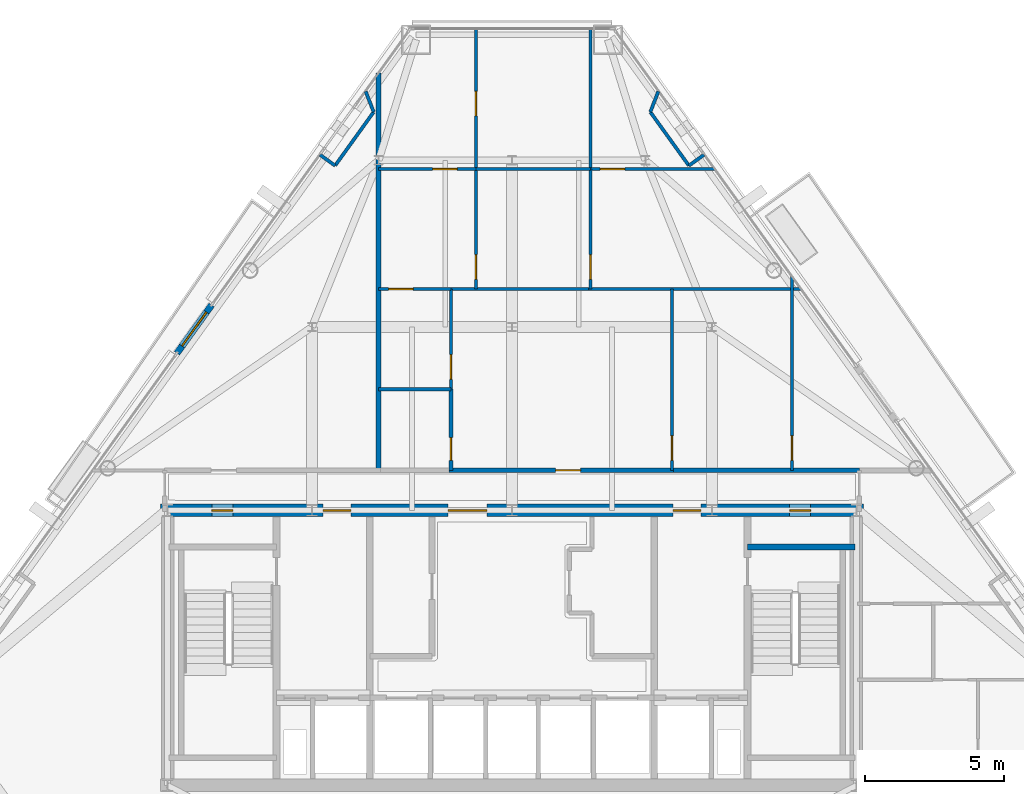
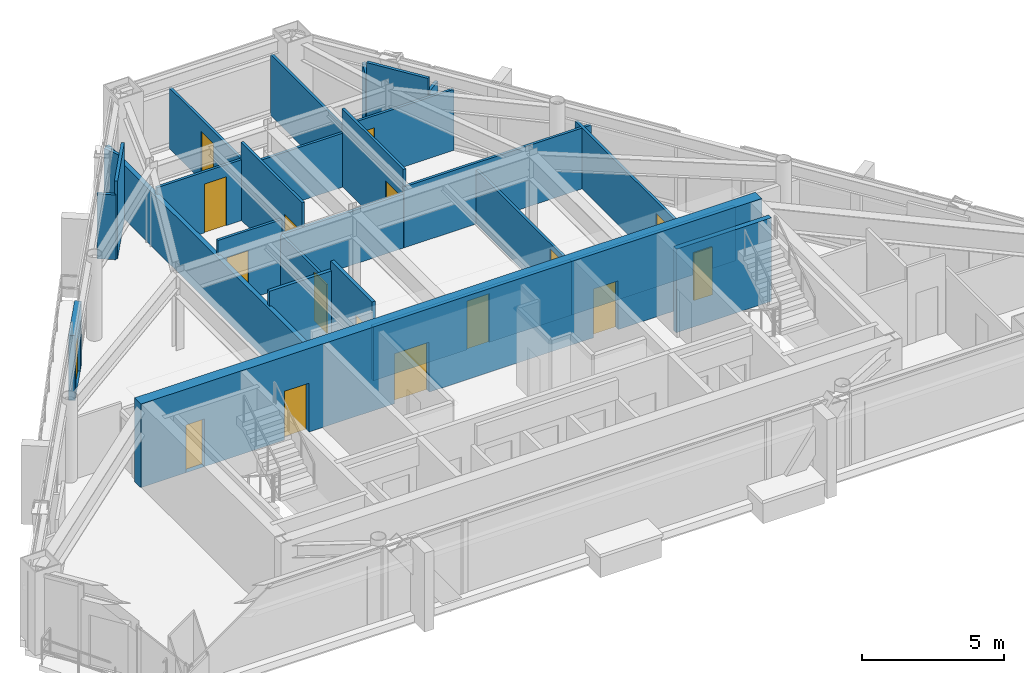
# One storey, part 8 of 11: 27 walls, 17 doors, 17 openings.
"""IFC4 building model written with IfcOpenShell, lengths in metres."""

from ifc_helpers import new_model, si_unit, direction, frame, frame_2d, origin, place, context, subcontext, project, spatial, rectangle, extrude, material, layer, layer_set, type_object, element, fill, save


model = new_model("IFC4")

# Units and contexts
model_context = context("Model", 3, precision=1e-05, world=origin(), true_north=direction((0.0, 1.0)))
body_context = subcontext(model_context, "Body", "Model", "MODEL_VIEW")
ifc_project = project(units=[si_unit("LENGTHUNIT", "METRE"), si_unit("AREAUNIT", "SQUARE_METRE"), si_unit("VOLUMEUNIT", "CUBIC_METRE"), si_unit("PLANEANGLEUNIT", "RADIAN"), si_unit("MASSUNIT", "GRAM", prefix="KILO")], contexts=[model_context])

# Site, building, storey
site_placement = place(None, origin())
site = spatial("IfcSite", under=ifc_project, at=site_placement, CompositionType="ELEMENT")
building_placement = place(site_placement, origin())
building = spatial("IfcBuilding", under=site, at=building_placement, Name="Talgorran Terracotta Tower", CompositionType="ELEMENT")
storey_placement = place(building_placement, frame((0.0, 0.0, 196.5)))
storey = spatial("IfcBuildingStorey", under=building, at=storey_placement, Name="L51", CompositionType="ELEMENT", Elevation=196.5)

# Wall, opening, door
ifc_material_1 = material(Name="Concrete C40/50", Category="concrete")
ifc_layer_1 = layer(ifc_material_1, 0.239990234375, Name="WT_BALCONY_SPAND")
ifc_layer_set_1 = layer_set([ifc_layer_1], Name="Concrete C40/50")
wall_type_1 = type_object("IfcWallType", Name="WT_BALCONY_SPAND", PredefinedType="STANDARD", material=ifc_layer_set_1)
wall_1_placement = place(storey_placement, frame((-10.81298828125, 3.19189453125, -0.014892578125), z_axis=(0.0, 0.0, 1.0), x_axis=(-0.583965085393, -0.811778774693, 0.0)))
wall_1 = element("IfcWall", 1, at=wall_1_placement, inside=storey, type_object=wall_type_1, Name="WL-L51-BALP-BAL-NW", PredefinedType="STANDARD", context=body_context, shape_type="SweptSolid", body=[
    extrude(rectangle(XDim=2.14013671875, YDim=0.239990234375, at=frame_2d((1.070068359375, 0.0))), origin(), (0.0, 0.0, 1.0), 2.806884765625),
])
opening_1_placement = place(wall_1_placement, frame((0.320068359375, 0.0, 0.014892578125)))
opening_1 = element("IfcOpeningElement", 2, at=opening_1_placement, cuts=wall_1, Name="Opening D-BAL-L51-2", PredefinedType="OPENING", context=body_context, shape_type="SweptSolid", body=[
    extrude(rectangle(XDim=1.506, YDim=2.203951171875, at=frame_2d((0.75, 1.10205078125))), frame((0.0, 0.1298828125, 0.0), z_axis=(0.0, -1.0, 0.0), x_axis=(1.0, 0.0, 0.0)), (0.0, 0.0, 1.0), 0.260009765625),
])
ifc_material_2 = material(Name="Thermally Broken Aluminium", Category="aluminium")
door_type_1 = type_object("IfcDoorType", Name="DT_BALC_1500", OperationType="SLIDING_TO_RIGHT", PredefinedType="DOOR", material=ifc_material_2)
door_1_placement = place(opening_1_placement, origin())
door_1 = element("IfcDoor", 3, at=door_1_placement, inside=storey, type_object=door_type_1, Name="DR-L51-BAL-BAL-NW", OperationType="SLIDING_TO_RIGHT", OverallHeight=2.199951171875, OverallWidth=1.5, PredefinedType="DOOR", context=body_context, shape_type="SweptSolid", body=[
    extrude(rectangle(XDim=1.5, YDim=2.199951171875, at=frame_2d((0.75, 1.10009765625))), frame((0.0, 0.02490234375, 0.0), z_axis=(0.0, -1.0, 0.0), x_axis=(1.0, 0.0, 0.0)), (0.0, 0.0, 1.0), 0.050048828125),
])
fill(opening_1, door_1)

# Wall
ifc_material_3 = material(Name="Concrete C50/60", Category="concrete")
ifc_layer_2 = layer(ifc_material_3, 0.199951171875, Name="WT_CORE_200")
ifc_layer_set_2 = layer_set([ifc_layer_2], Name="Concrete C50/60")
wall_type_2 = type_object("IfcWallType", Name="WT_CORE_200", PredefinedType="SOLIDWALL", material=ifc_layer_set_2)
wall_2_placement = place(storey_placement, frame((8.47998046875, -5.52001953125, 0.0), z_axis=(0.0, 0.0, 1.0), x_axis=(1.0, 0.0, 0.0)))
element("IfcWall", 4, at=wall_2_placement, inside=storey, type_object=wall_type_2, Name="WL-L51-CW-ST2-N", PredefinedType="SOLIDWALL", context=body_context, shape_type="SweptSolid", body=[
    extrude(rectangle(XDim=3.8701171875, YDim=0.199951171875, at=frame_2d((1.93505859375, 0.0))), origin(), (0.0, 0.0, 1.0), 3.60009765625),
])

# Wall, openings, doors
ifc_material_4 = material(Name="Concrete C65/80", Category="concrete")
ifc_layer_3 = layer(ifc_material_4, 0.449951171875, Name="WT_CORE_EXT")
ifc_layer_set_3 = layer_set([ifc_layer_3], Name="Concrete C65/80")
wall_type_3 = type_object("IfcWallType", Name="WT_CORE_EXT", PredefinedType="SHEAR", material=ifc_layer_set_3)
wall_3_placement = place(storey_placement, frame((-12.64990234375, -4.199951171875, 0.0), z_axis=(0.0, 0.0, 1.0), x_axis=(1.0, 0.0, 0.0)))
wall_3 = element("IfcWall", 5, at=wall_3_placement, inside=storey, type_object=wall_type_3, Name="WL-L51-CW-OUT-N", PredefinedType="SHEAR", context=body_context, shape_type="SweptSolid", body=[
    extrude(rectangle(XDim=25.2998046875, YDim=0.449951171875, at=frame_2d((12.64990234375, 0.0))), origin(), (0.0, 0.0, 1.0), 3.60009765625),
])
opening_2_placement = place(wall_3_placement, frame((1.85009765625, 0.0, 0.0)))
opening_2 = element("IfcOpeningElement", 6, at=opening_2_placement, cuts=wall_3, Name="Opening DR-CSN1", PredefinedType="OPENING", context=body_context, shape_type="SweptSolid", body=[
    extrude(rectangle(XDim=0.756, YDim=2.054048828125, at=frame_2d((0.375, 1.027099609375))), frame((0.0, 0.23486328125, 0.0), z_axis=(0.0, -1.0, 0.0), x_axis=(1.0, 0.0, 0.0)), (0.0, 0.0, 1.0), 0.469970703125),
])
opening_3_placement = place(wall_3_placement, frame((22.64990234375, 0.0, 0.0)))
opening_3 = element("IfcOpeningElement", 7, at=opening_3_placement, cuts=wall_3, Name="Opening DR-CSN2", PredefinedType="OPENING", context=body_context, shape_type="SweptSolid", body=[
    extrude(rectangle(XDim=0.756, YDim=2.054048828125, at=frame_2d((0.375, 1.027099609375))), frame((0.0, 0.23486328125, 0.0), z_axis=(0.0, -1.0, 0.0), x_axis=(1.0, 0.0, 0.0)), (0.0, 0.0, 1.0), 0.469970703125),
])
opening_4_placement = place(wall_3_placement, frame((5.85009765625, 0.0, 0.0)))
opening_4 = element("IfcOpeningElement", 8, at=opening_4_placement, cuts=wall_3, Name="Opening DR-FFLW-N", PredefinedType="OPENING", context=body_context, shape_type="SweptSolid", body=[
    extrude(rectangle(XDim=1.006, YDim=2.10409765625, at=frame_2d((0.5, 1.052001953125))), frame((0.0, 0.23486328125, 0.0), z_axis=(0.0, -1.0, 0.0), x_axis=(1.0, 0.0, 0.0)), (0.0, 0.0, 1.0), 0.469970703125),
])
opening_5_placement = place(wall_3_placement, frame((10.35009765625, 0.0, 0.0)))
opening_5 = element("IfcOpeningElement", 9, at=opening_5_placement, cuts=wall_3, Name="Opening DR-PLL-N", PredefinedType="OPENING", context=body_context, shape_type="SweptSolid", body=[
    extrude(rectangle(XDim=1.40590234375, YDim=2.15390234375, at=frame_2d((0.699951171875, 1.076904296875))), frame((0.0, 0.23486328125, 0.0), z_axis=(0.0, -1.0, 0.0), x_axis=(1.0, 0.0, 0.0)), (0.0, 0.0, 1.0), 0.469970703125),
])
opening_6_placement = place(wall_3_placement, frame((18.449951171875, 0.0, 0.0)))
opening_6 = element("IfcOpeningElement", 10, at=opening_6_placement, cuts=wall_3, Name="Opening DR-FFLE-N", PredefinedType="OPENING", context=body_context, shape_type="SweptSolid", body=[
    extrude(rectangle(XDim=1.006, YDim=2.10409765625, at=frame_2d((0.5, 1.052001953125))), frame((0.0, 0.23486328125, 0.0), z_axis=(0.0, -1.0, 0.0), x_axis=(1.0, 0.0, 0.0)), (0.0, 0.0, 1.0), 0.469970703125),
])
ifc_material_5 = material(Name="Acoustic Glazed Timber", Category="wood")
door_type_2 = type_object("IfcDoorType", Name="DT_DOUBLE_1400", OperationType="DOUBLE_DOOR_SINGLE_SWING", PredefinedType="DOOR", material=ifc_material_5)
door_2_placement = place(opening_5_placement, origin())
door_2 = element("IfcDoor", 11, at=door_2_placement, inside=storey, type_object=door_type_2, Name="DR-PLL-N", OperationType="DOUBLE_DOOR_SINGLE_SWING", OverallHeight=2.14990234375, OverallWidth=1.39990234375, PredefinedType="DOOR", context=body_context, shape_type="SweptSolid", body=[
    extrude(rectangle(XDim=1.39990234375, YDim=2.14990234375, at=frame_2d((0.699951171875, 1.074951171875))), frame((0.0, 0.02490234375, 0.0), z_axis=(0.0, -1.0, 0.0), x_axis=(1.0, 0.0, 0.0)), (0.0, 0.0, 1.0), 0.050048828125),
])
fill(opening_5, door_2)
ifc_material_6 = material(Name="Fire-Rated Pressed Steel", Category="steel")
door_type_3 = type_object("IfcDoorType", Name="DT_FIRE_1000", OperationType="NOTDEFINED", PredefinedType="DOOR", material=ifc_material_6)
door_3_placement = place(opening_4_placement, origin())
door_3 = element("IfcDoor", 12, at=door_3_placement, inside=storey, type_object=door_type_3, Name="DR-FFLW-N", OperationType="SINGLE_SWING_LEFT", OverallHeight=2.10009765625, OverallWidth=1.0, PredefinedType="DOOR", context=body_context, shape_type="SweptSolid", body=[
    extrude(rectangle(XDim=1.0, YDim=2.10009765625, at=frame_2d((0.5, 1.050048828125))), frame((0.0, 0.02490234375, 0.0), z_axis=(0.0, -1.0, 0.0), x_axis=(1.0, 0.0, 0.0)), (0.0, 0.0, 1.0), 0.050048828125),
])
fill(opening_4, door_3)
door_4_placement = place(opening_6_placement, origin())
door_4 = element("IfcDoor", 13, at=door_4_placement, inside=storey, type_object=door_type_3, Name="DR-FFLE-N", OperationType="SINGLE_SWING_RIGHT", OverallHeight=2.10009765625, OverallWidth=1.0, PredefinedType="DOOR", context=body_context, shape_type="SweptSolid", body=[
    extrude(rectangle(XDim=1.0, YDim=2.10009765625, at=frame_2d((0.5, 1.050048828125))), frame((0.0, 0.02490234375, 0.0), z_axis=(0.0, -1.0, 0.0), x_axis=(1.0, 0.0, 0.0)), (0.0, 0.0, 1.0), 0.050048828125),
])
fill(opening_6, door_4)
door_type_4 = type_object("IfcDoorType", Name="DT_RISER_750", OperationType="NOTDEFINED", PredefinedType="DOOR", material=ifc_material_6)
door_5_placement = place(opening_2_placement, origin())
door_5 = element("IfcDoor", 14, at=door_5_placement, inside=storey, type_object=door_type_4, Name="DR-CSN1", OperationType="SINGLE_SWING_LEFT", OverallHeight=2.050048828125, OverallWidth=0.75, PredefinedType="DOOR", context=body_context, shape_type="SweptSolid", body=[
    extrude(rectangle(XDim=0.75, YDim=2.050048828125, at=frame_2d((0.375, 1.02490234375))), frame((0.0, 0.02490234375, 0.0), z_axis=(0.0, -1.0, 0.0), x_axis=(1.0, 0.0, 0.0)), (0.0, 0.0, 1.0), 0.050048828125),
])
fill(opening_2, door_5)
door_6_placement = place(opening_3_placement, origin())
door_6 = element("IfcDoor", 15, at=door_6_placement, inside=storey, type_object=door_type_4, Name="DR-CSN2", OperationType="SINGLE_SWING_RIGHT", OverallHeight=2.050048828125, OverallWidth=0.75, PredefinedType="DOOR", context=body_context, shape_type="SweptSolid", body=[
    extrude(rectangle(XDim=0.75, YDim=2.050048828125, at=frame_2d((0.375, 1.02490234375))), frame((0.0, 0.02490234375, 0.0), z_axis=(0.0, -1.0, 0.0), x_axis=(1.0, 0.0, 0.0)), (0.0, 0.0, 1.0), 0.050048828125),
])
fill(opening_3, door_6)

# Wall, opening, door
ifc_material_7 = material(Name="Fire-Rated Steel Stud Plasterboard", Category="steel")
ifc_layer_4 = layer(ifc_material_7, 0.14990234375, Name="WT_FIRE_150")
ifc_layer_set_4 = layer_set([ifc_layer_4], Name="Fire-Rated Steel Stud Plasterboard")
wall_type_4 = type_object("IfcWallType", Name="WT_FIRE_150", PredefinedType="PARTITIONING", material=ifc_layer_set_4)
wall_4_placement = place(storey_placement, frame((-2.260009765625, -2.760009765625, 0.0), z_axis=(0.0, 0.0, 1.0), x_axis=(1.0, 0.0, 0.0)))
wall_4 = element("IfcWall", 16, at=wall_4_placement, inside=storey, type_object=wall_type_4, Name="WL-L51-W-L51-R05", PredefinedType="PARTITIONING", context=body_context, shape_type="SweptSolid", body=[
    extrude(rectangle(XDim=8.080078125, YDim=0.14990234375, at=frame_2d((4.0400390625, 0.0))), origin(), (0.0, 0.0, 1.0), 2.324951171875),
])
opening_7_placement = place(wall_4_placement, frame((3.829345703125, 0.0, 0.0)))
opening_7 = element("IfcOpeningElement", 17, at=opening_7_placement, cuts=wall_4, Name="Opening DR-L51-R10", PredefinedType="OPENING", context=body_context, shape_type="SweptSolid", body=[
    extrude(rectangle(XDim=0.90590234375, YDim=2.10409765625, at=frame_2d((0.449951171875, 1.052001953125))), frame((0.0, 0.0849609375, 0.0), z_axis=(0.0, -1.0, 0.0), x_axis=(1.0, 0.0, 0.0)), (0.0, 0.0, 1.0), 0.169921875),
])
ifc_material_8 = material(Name="Fire-Rated Timber Core", Category="wood")
door_type_5 = type_object("IfcDoorType", Name="DT_FIRE_900", OperationType="NOTDEFINED", PredefinedType="DOOR", material=ifc_material_8)
door_7_placement = place(opening_7_placement, origin())
door_7 = element("IfcDoor", 18, at=door_7_placement, inside=storey, type_object=door_type_5, Name="DR-L51-R10", OperationType="SINGLE_SWING_RIGHT", OverallHeight=2.10009765625, OverallWidth=0.89990234375, PredefinedType="DOOR", context=body_context, shape_type="SweptSolid", body=[
    extrude(rectangle(XDim=0.89990234375, YDim=2.10009765625, at=frame_2d((0.449951171875, 1.050048828125))), frame((0.0, 0.02490234375, 0.0), z_axis=(0.0, -1.0, 0.0), x_axis=(1.0, 0.0, 0.0)), (0.0, 0.0, 1.0), 0.050048828125),
])
fill(opening_7, door_7)

# Walls
wall_5_placement = place(storey_placement, frame((5.822021484375, -2.760009765625, 0.0), z_axis=(0.0, 0.0, 1.0), x_axis=(1.0, 0.0, 0.0)))
element("IfcWall", 19, at=wall_5_placement, inside=storey, type_object=wall_type_4, Name="WL-L51-W-L51-R06", PredefinedType="PARTITIONING", context=body_context, shape_type="SweptSolid", body=[
    extrude(rectangle(XDim=6.677978515625, YDim=0.14990234375, at=frame_2d((3.3388671875, 0.0))), origin(), (0.0, 0.0, 1.0), 2.324951171875),
])
ifc_material_9 = material(Name="Acoustic Stud and Plasterboard")
ifc_layer_5 = layer(ifc_material_9, 0.179931640625, Name="WT_PARTY_200")
ifc_layer_set_5 = layer_set([ifc_layer_5], Name="Acoustic Stud and Plasterboard")
wall_type_5 = type_object("IfcWallType", Name="WT_PARTY_200", PredefinedType="PARTITIONING", material=ifc_layer_set_5)
wall_6_placement = place(storey_placement, frame((-4.800048828125, -2.760009765625, 0.0), z_axis=(0.0, 0.0, 1.0), x_axis=(0.0, 1.0, 0.0)))
element("IfcWall", 20, at=wall_6_placement, inside=storey, type_object=wall_type_5, Name="WL-L51-W-L51-R19", PredefinedType="PARTITIONING", context=body_context, shape_type="SweptSolid", body=[
    extrude(rectangle(XDim=14.31005859375, YDim=0.179931640625, at=frame_2d((7.155029296875, 0.0))), origin(), (0.0, 0.0, 1.0), 2.324951171875),
])

# Wall, opening, door
ifc_material_10 = material(Name="Lightweight Steel Stud Partition", Category="steel")
ifc_layer_6 = layer(ifc_material_10, 0.10498046875, Name="WT_PART_110")
ifc_layer_set_6 = layer_set([ifc_layer_6], Name="Lightweight Steel Stud Partition")
wall_type_6 = type_object("IfcWallType", Name="WT_PART_110", PredefinedType="PARTITIONING", material=ifc_layer_set_6)
wall_7_placement = place(storey_placement, frame((10.080078125, -2.760009765625, 0.0), z_axis=(0.0, 0.0, 1.0), x_axis=(0.0, 1.0, 0.0)))
wall_7 = element("IfcWall", 21, at=wall_7_placement, inside=storey, type_object=wall_type_6, Name="WL-L51-W-L51-R29", PredefinedType="PARTITIONING", context=body_context, shape_type="SweptSolid", body=[
    extrude(rectangle(XDim=6.970703125, YDim=0.10498046875, at=frame_2d((3.4853515625, 0.0))), origin(), (0.0, 0.0, 1.0), 2.625),
])
opening_8_placement = place(wall_7_placement, frame((0.360107421875, 0.0, 0.0)))
opening_8 = element("IfcOpeningElement", 22, at=opening_8_placement, cuts=wall_7, Name="Opening DR-L51-R12", PredefinedType="OPENING", context=body_context, shape_type="SweptSolid", body=[
    extrude(rectangle(XDim=0.8858828125, YDim=2.10409765625, at=frame_2d((0.43994140625, 1.052001953125))), frame((0.0, 0.0625, 0.0), z_axis=(0.0, -1.0, 0.0), x_axis=(1.0, 0.0, 0.0)), (0.0, 0.0, 1.0), 0.125),
])
ifc_material_11 = material(Name="Solid-Core Painted Timber", Category="wood")
door_type_6 = type_object("IfcDoorType", Name="DT_INT_880", OperationType="NOTDEFINED", PredefinedType="DOOR", material=ifc_material_11)
door_8_placement = place(opening_8_placement, origin())
door_8 = element("IfcDoor", 23, at=door_8_placement, inside=storey, type_object=door_type_6, Name="DR-L51-R12", OperationType="SINGLE_SWING_RIGHT", OverallHeight=2.10009765625, OverallWidth=0.8798828125, PredefinedType="DOOR", context=body_context, shape_type="SweptSolid", body=[
    extrude(rectangle(XDim=0.8798828125, YDim=2.10009765625, at=frame_2d((0.43994140625, 1.050048828125))), frame((0.0, 0.02490234375, 0.0), z_axis=(0.0, -1.0, 0.0), x_axis=(1.0, 0.0, 0.0)), (0.0, 0.0, 1.0), 0.050048828125),
])
fill(opening_8, door_8)

wall_8_placement = place(storey_placement, frame((5.760009765625, -2.760009765625, 0.0), z_axis=(0.0, 0.0, 1.0), x_axis=(0.0, 1.0, 0.0)))
wall_8 = element("IfcWall", 24, at=wall_8_placement, inside=storey, type_object=wall_type_6, Name="WL-L51-W-L51-R25", PredefinedType="PARTITIONING", context=body_context, shape_type="SweptSolid", body=[
    extrude(rectangle(XDim=6.52001953125, YDim=0.10498046875, at=frame_2d((3.260009765625, 0.0))), origin(), (0.0, 0.0, 1.0), 2.324951171875),
])
opening_9_placement = place(wall_8_placement, frame((0.360107421875, 0.0, 0.0)))
opening_9 = element("IfcOpeningElement", 25, at=opening_9_placement, cuts=wall_8, Name="Opening DR-L51-R11", PredefinedType="OPENING", context=body_context, shape_type="SweptSolid", body=[
    extrude(rectangle(XDim=0.8858828125, YDim=2.10409765625, at=frame_2d((0.43994140625, 1.052001953125))), frame((0.0, 0.0625, 0.0), z_axis=(0.0, -1.0, 0.0), x_axis=(1.0, 0.0, 0.0)), (0.0, 0.0, 1.0), 0.125),
])
door_9_placement = place(opening_9_placement, origin())
door_9 = element("IfcDoor", 26, at=door_9_placement, inside=storey, type_object=door_type_6, Name="DR-L51-R11", OperationType="SINGLE_SWING_LEFT", OverallHeight=2.10009765625, OverallWidth=0.8798828125, PredefinedType="DOOR", context=body_context, shape_type="SweptSolid", body=[
    extrude(rectangle(XDim=0.8798828125, YDim=2.10009765625, at=frame_2d((0.43994140625, 1.050048828125))), frame((0.0, 0.02490234375, 0.0), z_axis=(0.0, -1.0, 0.0), x_axis=(1.0, 0.0, 0.0)), (0.0, 0.0, 1.0), 0.050048828125),
])
fill(opening_9, door_9)

wall_9_placement = place(storey_placement, frame((-1.300048828125, 8.080078125, 0.0), z_axis=(0.0, 0.0, 1.0), x_axis=(0.0, 1.0, 0.0)))
wall_9 = element("IfcWall", 27, at=wall_9_placement, inside=storey, type_object=wall_type_6, Name="WL-L51-W-L51-R35", PredefinedType="PARTITIONING", context=body_context, shape_type="SweptSolid", body=[
    extrude(rectangle(XDim=5.058837890625, YDim=0.10498046875, at=frame_2d((2.529296875, 0.0))), origin(), (0.0, 0.0, 1.0), 2.625),
])
opening_10_placement = place(wall_9_placement, frame((1.91943359375, 0.0, 0.0)))
opening_10 = element("IfcOpeningElement", 28, at=opening_10_placement, cuts=wall_9, Name="Opening DR-L51-R15", PredefinedType="OPENING", context=body_context, shape_type="SweptSolid", body=[
    extrude(rectangle(XDim=0.8858828125, YDim=2.10409765625, at=frame_2d((0.43994140625, 1.052001953125))), frame((0.0, 0.0625, 0.0), z_axis=(0.0, -1.0, 0.0), x_axis=(1.0, 0.0, 0.0)), (0.0, 0.0, 1.0), 0.125),
])
door_10_placement = place(opening_10_placement, origin())
door_10 = element("IfcDoor", 29, at=door_10_placement, inside=storey, type_object=door_type_6, Name="DR-L51-R15", OperationType="SINGLE_SWING_LEFT", OverallHeight=2.10009765625, OverallWidth=0.8798828125, PredefinedType="DOOR", context=body_context, shape_type="SweptSolid", body=[
    extrude(rectangle(XDim=0.8798828125, YDim=2.10009765625, at=frame_2d((0.43994140625, 1.050048828125))), frame((0.0, 0.02490234375, 0.0), z_axis=(0.0, -1.0, 0.0), x_axis=(1.0, 0.0, 0.0)), (0.0, 0.0, 1.0), 0.050048828125),
])
fill(opening_10, door_10)

# Walls
wall_10_placement = place(storey_placement, frame((2.820068359375, 8.080078125, 0.0), z_axis=(0.0, 0.0, 1.0), x_axis=(0.0, 1.0, 0.0)))
element("IfcWall", 30, at=wall_10_placement, inside=storey, type_object=wall_type_6, Name="WL-L51-W-L51-R36", PredefinedType="PARTITIONING", context=body_context, shape_type="SweptSolid", body=[
    extrude(rectangle(XDim=5.058837890625, YDim=0.10498046875, at=frame_2d((2.529296875, 0.0))), origin(), (0.0, 0.0, 1.0), 2.625),
])
wall_11_placement = place(storey_placement, frame((2.760009765625, 3.760009765625, 0.0), z_axis=(0.0, 0.0, 1.0), x_axis=(1.0, 0.0, 0.0)))
element("IfcWall", 31, at=wall_11_placement, inside=storey, type_object=wall_type_6, Name="WL-L51-W-L51-R30", PredefinedType="PARTITIONING", context=body_context, shape_type="SweptSolid", body=[
    extrude(rectangle(XDim=7.644287109375, YDim=0.10498046875, at=frame_2d((3.822265625, 0.0))), origin(), (0.0, 0.0, 1.0), 2.625),
])

# Wall, opening, door
wall_12_placement = place(storey_placement, frame((2.820068359375, 8.080078125, 0.0), z_axis=(0.0, 0.0, 1.0), x_axis=(1.0, 0.0, 0.0)))
wall_12 = element("IfcWall", 32, at=wall_12_placement, inside=storey, type_object=wall_type_6, Name="WL-L51-W-L51-R37", PredefinedType="PARTITIONING", context=body_context, shape_type="SweptSolid", body=[
    extrude(rectangle(XDim=4.476318359375, YDim=0.10498046875, at=frame_2d((2.23828125, 0.0))), origin(), (0.0, 0.0, 1.0), 2.625),
])
opening_11_placement = place(wall_12_placement, frame((0.3583984375, 0.0, 0.0)))
opening_11 = element("IfcOpeningElement", 33, at=opening_11_placement, cuts=wall_12, Name="Opening DR-L51-R16", PredefinedType="OPENING", context=body_context, shape_type="SweptSolid", body=[
    extrude(rectangle(XDim=0.8858828125, YDim=2.10409765625, at=frame_2d((0.43994140625, 1.052001953125))), frame((0.0, 0.0625, 0.0), z_axis=(0.0, -1.0, 0.0), x_axis=(1.0, 0.0, 0.0)), (0.0, 0.0, 1.0), 0.125),
])
door_11_placement = place(opening_11_placement, origin())
door_11 = element("IfcDoor", 34, at=door_11_placement, inside=storey, type_object=door_type_6, Name="DR-L51-R16", OperationType="SINGLE_SWING_RIGHT", OverallHeight=2.10009765625, OverallWidth=0.8798828125, PredefinedType="DOOR", context=body_context, shape_type="SweptSolid", body=[
    extrude(rectangle(XDim=0.8798828125, YDim=2.10009765625, at=frame_2d((0.43994140625, 1.050048828125))), frame((0.0, 0.02490234375, 0.0), z_axis=(0.0, -1.0, 0.0), x_axis=(1.0, 0.0, 0.0)), (0.0, 0.0, 1.0), 0.050048828125),
])
fill(opening_11, door_11)

wall_13_placement = place(storey_placement, frame((-1.300048828125, 3.760009765625, 0.0), z_axis=(0.0, 0.0, 1.0), x_axis=(0.0, 1.0, 0.0)))
wall_13 = element("IfcWall", 35, at=wall_13_placement, inside=storey, type_object=wall_type_6, Name="WL-L51-W-L51-R31", PredefinedType="PARTITIONING", context=body_context, shape_type="SweptSolid", body=[
    extrude(rectangle(XDim=4.320068359375, YDim=0.10498046875, at=frame_2d((2.16015625, 0.0))), origin(), (0.0, 0.0, 1.0), 3.35009765625),
])
opening_12_placement = place(wall_13_placement, frame((0.35693359375, 0.0, 0.0)))
opening_12 = element("IfcOpeningElement", 36, at=opening_12_placement, cuts=wall_13, Name="Opening DR-L51-R14", PredefinedType="OPENING", context=body_context, shape_type="SweptSolid", body=[
    extrude(rectangle(XDim=0.8858828125, YDim=2.10409765625, at=frame_2d((0.43994140625, 1.052001953125))), frame((0.0, 0.0625, 0.0), z_axis=(0.0, -1.0, 0.0), x_axis=(1.0, 0.0, 0.0)), (0.0, 0.0, 1.0), 0.125),
])
door_12_placement = place(opening_12_placement, origin())
door_12 = element("IfcDoor", 37, at=door_12_placement, inside=storey, type_object=door_type_6, Name="DR-L51-R14", OperationType="SINGLE_SWING_RIGHT", OverallHeight=2.10009765625, OverallWidth=0.8798828125, PredefinedType="DOOR", context=body_context, shape_type="SweptSolid", body=[
    extrude(rectangle(XDim=0.8798828125, YDim=2.10009765625, at=frame_2d((0.43994140625, 1.050048828125))), frame((0.0, 0.02490234375, 0.0), z_axis=(0.0, -1.0, 0.0), x_axis=(1.0, 0.0, 0.0)), (0.0, 0.0, 1.0), 0.050048828125),
])
fill(opening_12, door_12)

wall_14_placement = place(storey_placement, frame((2.820068359375, 3.760009765625, 0.0), z_axis=(0.0, 0.0, 1.0), x_axis=(0.0, 1.0, 0.0)))
wall_14 = element("IfcWall", 38, at=wall_14_placement, inside=storey, type_object=wall_type_6, Name="WL-L51-W-L51-R34", PredefinedType="PARTITIONING", context=body_context, shape_type="SweptSolid", body=[
    extrude(rectangle(XDim=4.320068359375, YDim=0.10498046875, at=frame_2d((2.16015625, 0.0))), origin(), (0.0, 0.0, 1.0), 3.35009765625),
])
opening_13_placement = place(wall_14_placement, frame((0.35693359375, 0.0, 0.0)))
opening_13 = element("IfcOpeningElement", 39, at=opening_13_placement, cuts=wall_14, Name="Opening DR-L51-R18", PredefinedType="OPENING", context=body_context, shape_type="SweptSolid", body=[
    extrude(rectangle(XDim=0.8858828125, YDim=2.10409765625, at=frame_2d((0.43994140625, 1.052001953125))), frame((0.0, 0.0625, 0.0), z_axis=(0.0, -1.0, 0.0), x_axis=(1.0, 0.0, 0.0)), (0.0, 0.0, 1.0), 0.125),
])
door_13_placement = place(opening_13_placement, origin())
door_13 = element("IfcDoor", 40, at=door_13_placement, inside=storey, type_object=door_type_6, Name="DR-L51-R18", OperationType="SINGLE_SWING_RIGHT", OverallHeight=2.10009765625, OverallWidth=0.8798828125, PredefinedType="DOOR", context=body_context, shape_type="SweptSolid", body=[
    extrude(rectangle(XDim=0.8798828125, YDim=2.10009765625, at=frame_2d((0.43994140625, 1.050048828125))), frame((0.0, 0.02490234375, 0.0), z_axis=(0.0, -1.0, 0.0), x_axis=(1.0, 0.0, 0.0)), (0.0, 0.0, 1.0), 0.050048828125),
])
fill(opening_13, door_13)

# Walls
wall_15_placement = place(storey_placement, frame((-2.199951171875, 3.760009765625, 0.0), z_axis=(0.0, 0.0, 1.0), x_axis=(1.0, 0.0, 0.0)))
element("IfcWall", 41, at=wall_15_placement, inside=storey, type_object=wall_type_6, Name="WL-L51-W-L51-R27", PredefinedType="PARTITIONING", context=body_context, shape_type="SweptSolid", body=[
    extrude(rectangle(XDim=4.9580078125, YDim=0.10498046875, at=frame_2d((2.47900390625, 0.0))), origin(), (0.0, 0.0, 1.0), 2.324951171875),
])
wall_16_placement = place(storey_placement, frame((-1.300048828125, 8.080078125, 0.0), z_axis=(0.0, 0.0, 1.0), x_axis=(1.0, 0.0, 0.0)))
element("IfcWall", 42, at=wall_16_placement, inside=storey, type_object=wall_type_6, Name="WL-L51-W-L51-R33", PredefinedType="PARTITIONING", context=body_context, shape_type="SweptSolid", body=[
    extrude(rectangle(XDim=4.1201171875, YDim=0.10498046875, at=frame_2d((2.06005859375, 0.0))), origin(), (0.0, 0.0, 1.0), 2.324951171875),
])

# Wall, opening, door
wall_17_placement = place(storey_placement, frame((-2.199951171875, 0.159912109375, 0.0), z_axis=(0.0, 0.0, 1.0), x_axis=(0.0, 1.0, 0.0)))
wall_17 = element("IfcWall", 43, at=wall_17_placement, inside=storey, type_object=wall_type_6, Name="WL-L51-W-L51-R23", PredefinedType="PARTITIONING", context=body_context, shape_type="SweptSolid", body=[
    extrude(rectangle(XDim=3.60009765625, YDim=0.10498046875, at=frame_2d((1.800048828125, 0.0))), origin(), (0.0, 0.0, 1.0), 2.324951171875),
])
opening_14_placement = place(wall_17_placement, frame((0.360107421875, 0.0, 0.0)))
opening_14 = element("IfcOpeningElement", 44, at=opening_14_placement, cuts=wall_17, Name="Opening DR-L51-R09", PredefinedType="OPENING", context=body_context, shape_type="SweptSolid", body=[
    extrude(rectangle(XDim=0.8858828125, YDim=2.10409765625, at=frame_2d((0.43994140625, 1.052001953125))), frame((0.0, 0.0625, 0.0), z_axis=(0.0, -1.0, 0.0), x_axis=(1.0, 0.0, 0.0)), (0.0, 0.0, 1.0), 0.125),
])
door_14_placement = place(opening_14_placement, origin())
door_14 = element("IfcDoor", 45, at=door_14_placement, inside=storey, type_object=door_type_6, Name="DR-L51-R09", OperationType="SINGLE_SWING_LEFT", OverallHeight=2.10009765625, OverallWidth=0.8798828125, PredefinedType="DOOR", context=body_context, shape_type="SweptSolid", body=[
    extrude(rectangle(XDim=0.8798828125, YDim=2.10009765625, at=frame_2d((0.43994140625, 1.050048828125))), frame((0.0, 0.02490234375, 0.0), z_axis=(0.0, -1.0, 0.0), x_axis=(1.0, 0.0, 0.0)), (0.0, 0.0, 1.0), 0.050048828125),
])
fill(opening_14, door_14)

wall_18_placement = place(storey_placement, frame((-4.800048828125, 8.080078125, 0.0), z_axis=(0.0, 0.0, 1.0), x_axis=(1.0, 0.0, 0.0)))
wall_18 = element("IfcWall", 46, at=wall_18_placement, inside=storey, type_object=wall_type_6, Name="WL-L51-W-L51-R32", PredefinedType="PARTITIONING", context=body_context, shape_type="SweptSolid", body=[
    extrude(rectangle(XDim=3.5, YDim=0.10498046875, at=frame_2d((1.75, 0.0))), origin(), (0.0, 0.0, 1.0), 2.625),
])
opening_15_placement = place(wall_18_placement, frame((1.944580078125, 0.0, 0.0)))
opening_15 = element("IfcOpeningElement", 47, at=opening_15_placement, cuts=wall_18, Name="Opening DR-L51-R13", PredefinedType="OPENING", context=body_context, shape_type="SweptSolid", body=[
    extrude(rectangle(XDim=0.8858828125, YDim=2.10409765625, at=frame_2d((0.43994140625, 1.052001953125))), frame((0.0, 0.0625, 0.0), z_axis=(0.0, -1.0, 0.0), x_axis=(1.0, 0.0, 0.0)), (0.0, 0.0, 1.0), 0.125),
])
door_15_placement = place(opening_15_placement, origin())
door_15 = element("IfcDoor", 48, at=door_15_placement, inside=storey, type_object=door_type_6, Name="DR-L51-R13", OperationType="SINGLE_SWING_LEFT", OverallHeight=2.10009765625, OverallWidth=0.8798828125, PredefinedType="DOOR", context=body_context, shape_type="SweptSolid", body=[
    extrude(rectangle(XDim=0.8798828125, YDim=2.10009765625, at=frame_2d((0.43994140625, 1.050048828125))), frame((0.0, 0.02490234375, 0.0), z_axis=(0.0, -1.0, 0.0), x_axis=(1.0, 0.0, 0.0)), (0.0, 0.0, 1.0), 0.050048828125),
])
fill(opening_15, door_15)

wall_19_placement = place(storey_placement, frame((-4.800048828125, 3.760009765625, 0.0), z_axis=(0.0, 0.0, 1.0), x_axis=(1.0, 0.0, 0.0)))
wall_19 = element("IfcWall", 49, at=wall_19_placement, inside=storey, type_object=wall_type_6, Name="WL-L51-W-L51-R24", PredefinedType="PARTITIONING", context=body_context, shape_type="SweptSolid", body=[
    extrude(rectangle(XDim=2.60009765625, YDim=0.10498046875, at=frame_2d((1.300048828125, 0.0))), origin(), (0.0, 0.0, 1.0), 2.969482421875),
])
opening_16_placement = place(wall_19_placement, frame((0.360107421875, 0.0, 0.0)))
opening_16 = element("IfcOpeningElement", 50, at=opening_16_placement, cuts=wall_19, Name="Opening DR-L51-R17", PredefinedType="OPENING", context=body_context, shape_type="SweptSolid", body=[
    extrude(rectangle(XDim=0.8858828125, YDim=2.10409765625, at=frame_2d((0.43994140625, 1.052001953125))), frame((0.0, 0.0625, 0.0), z_axis=(0.0, -1.0, 0.0), x_axis=(1.0, 0.0, 0.0)), (0.0, 0.0, 1.0), 0.125),
])
door_16_placement = place(opening_16_placement, origin())
door_16 = element("IfcDoor", 51, at=door_16_placement, inside=storey, type_object=door_type_6, Name="DR-L51-R17", OperationType="SINGLE_SWING_LEFT", OverallHeight=2.10009765625, OverallWidth=0.8798828125, PredefinedType="DOOR", context=body_context, shape_type="SweptSolid", body=[
    extrude(rectangle(XDim=0.8798828125, YDim=2.10009765625, at=frame_2d((0.43994140625, 1.050048828125))), frame((0.0, 0.02490234375, 0.0), z_axis=(0.0, -1.0, 0.0), x_axis=(1.0, 0.0, 0.0)), (0.0, 0.0, 1.0), 0.050048828125),
])
fill(opening_16, door_16)

# Walls
ifc_material_12 = material(Name="Insulated Steel Stud Plasterboard", Category="steel")
ifc_layer_7 = layer(ifc_material_12, 0.1201171875, Name="WT_PART_120")
ifc_layer_set_7 = layer_set([ifc_layer_7], Name="Insulated Steel Stud Plasterboard")
wall_type_7 = type_object("IfcWallType", Name="WT_PART_120", PredefinedType="PARTITIONING", material=ifc_layer_set_7)
for number, where, z_axis, x_axis, name in (
    (52, (-4.97900390625, 10.136962890625, 0.0), (0.0, 0.0, 1.0), (-0.583915231171, -0.811814635743, 0.0), "WL-L51-BW-L51-15"),
    (53, (6.36767578125, 8.206298828125, 0.0), (0.0, 0.0, 1.0), (-0.583915231171, 0.811814635743, 0.0), "WL-L51-BW-L51-18"),
):
    element("IfcWall", number, at=place(storey_placement, frame(where, z_axis=z_axis, x_axis=x_axis)), inside=storey, type_object=wall_type_7, Name=name, PredefinedType="PARTITIONING", context=body_context, shape_type="SweptSolid", body=[
        extrude(rectangle(XDim=2.378173828125, YDim=0.1201171875, at=frame_2d((1.18896484375, 0.0))), origin(), (0.0, 0.0, 1.0), 3.35009765625),
    ])
for number, where, z_axis, x_axis, name in (
    (54, (-5.26806640625, 10.88232421875, 0.0), (0.0, 0.0, 1.0), (0.36157661398, -0.932342400743, 0.0), "WL-L51-BW-L51-14"),
    (55, (4.97900390625, 10.136962890625, 0.0), (0.0, 0.0, 1.0), (0.36157661398, 0.932342400743, 0.0), "WL-L51-BW-L51-19"),
):
    element("IfcWall", number, at=place(storey_placement, frame(where, z_axis=z_axis, x_axis=x_axis)), inside=storey, type_object=wall_type_7, Name=name, PredefinedType="PARTITIONING", context=body_context, shape_type="SweptSolid", body=[
        extrude(rectangle(XDim=0.799560546875, YDim=0.1201171875, at=frame_2d((0.39990234375, 0.0))), origin(), (0.0, 0.0, 1.0), 2.7919921875),
    ])
for number, where, z_axis, x_axis, name in (
    (56, (-6.36767578125, 8.206298828125, 0.0), (0.0, 0.0, 1.0), (-0.811734696256, 0.584026354622, 0.0), "WL-L51-BW-L51-16"),
    (57, (6.91162109375, 8.59765625, 0.0), (0.0, 0.0, 1.0), (-0.811734696256, -0.584026354622, 0.0), "WL-L51-BW-L51-17"),
):
    element("IfcWall", number, at=place(storey_placement, frame(where, z_axis=z_axis, x_axis=x_axis)), inside=storey, type_object=wall_type_7, Name=name, PredefinedType="PARTITIONING", context=body_context, shape_type="SweptSolid", body=[
        extrude(rectangle(XDim=0.670166015625, YDim=0.1201171875, at=frame_2d((0.3349609375, 0.0))), origin(), (0.0, 0.0, 1.0), 2.7919921875),
    ])

# Wall, opening, door
ifc_material_13 = material(Name="Moisture-Resistant Stud Wall")
ifc_layer_8 = layer(ifc_material_13, 0.135009765625, Name="WT_PART_135")
ifc_layer_set_8 = layer_set([ifc_layer_8], Name="Moisture-Resistant Stud Wall")
wall_type_8 = type_object("IfcWallType", Name="WT_PART_135", PredefinedType="PARTITIONING", material=ifc_layer_set_8)
wall_20_placement = place(storey_placement, frame((-2.199951171875, -2.760009765625, 0.0), z_axis=(0.0, 0.0, 1.0), x_axis=(0.0, 1.0, 0.0)))
wall_20 = element("IfcWall", 58, at=wall_20_placement, inside=storey, type_object=wall_type_8, Name="WL-L51-W-L51-R22", PredefinedType="PARTITIONING", context=body_context, shape_type="SweptSolid", body=[
    extrude(rectangle(XDim=2.919921875, YDim=0.135009765625, at=frame_2d((1.4599609375, 0.0))), origin(), (0.0, 0.0, 1.0), 3.35009765625),
])
opening_17_placement = place(wall_20_placement, frame((0.357421875, 0.0, 0.0)))
opening_17 = element("IfcOpeningElement", 59, at=opening_17_placement, cuts=wall_20, Name="Opening DR-L51-R08", PredefinedType="OPENING", context=body_context, shape_type="SweptSolid", body=[
    extrude(rectangle(XDim=0.826068359375, YDim=2.10409765625, at=frame_2d((0.41015625, 1.052001953125))), frame((0.0, 0.07763671875, 0.0), z_axis=(0.0, -1.0, 0.0), x_axis=(1.0, 0.0, 0.0)), (0.0, 0.0, 1.0), 0.155029296875),
])
ifc_material_14 = material(Name="Moisture-Resistant Solid Timber", Category="wood")
door_type_7 = type_object("IfcDoorType", Name="DT_INT_820", OperationType="NOTDEFINED", PredefinedType="DOOR", material=ifc_material_14)
door_17_placement = place(opening_17_placement, origin())
door_17 = element("IfcDoor", 60, at=door_17_placement, inside=storey, type_object=door_type_7, Name="DR-L51-R08", OperationType="SINGLE_SWING_RIGHT", OverallHeight=2.10009765625, OverallWidth=0.820068359375, PredefinedType="DOOR", context=body_context, shape_type="SweptSolid", body=[
    extrude(rectangle(XDim=0.820068359375, YDim=2.10009765625, at=frame_2d((0.41015625, 1.050048828125))), frame((0.0, 0.02490234375, 0.0), z_axis=(0.0, -1.0, 0.0), x_axis=(1.0, 0.0, 0.0)), (0.0, 0.0, 1.0), 0.050048828125),
])
fill(opening_17, door_17)

# Wall
wall_21_placement = place(storey_placement, frame((-4.800048828125, 0.159912109375, 0.0), z_axis=(0.0, 0.0, 1.0), x_axis=(1.0, 0.0, 0.0)))
element("IfcWall", 61, at=wall_21_placement, inside=storey, type_object=wall_type_8, Name="WL-L51-W-L51-R21", PredefinedType="PARTITIONING", context=body_context, shape_type="SweptSolid", body=[
    extrude(rectangle(XDim=2.60009765625, YDim=0.135009765625, at=frame_2d((1.300048828125, 0.0))), origin(), (0.0, 0.0, 1.0), 2.969482421875),
])

save(model, "model.ifc")
